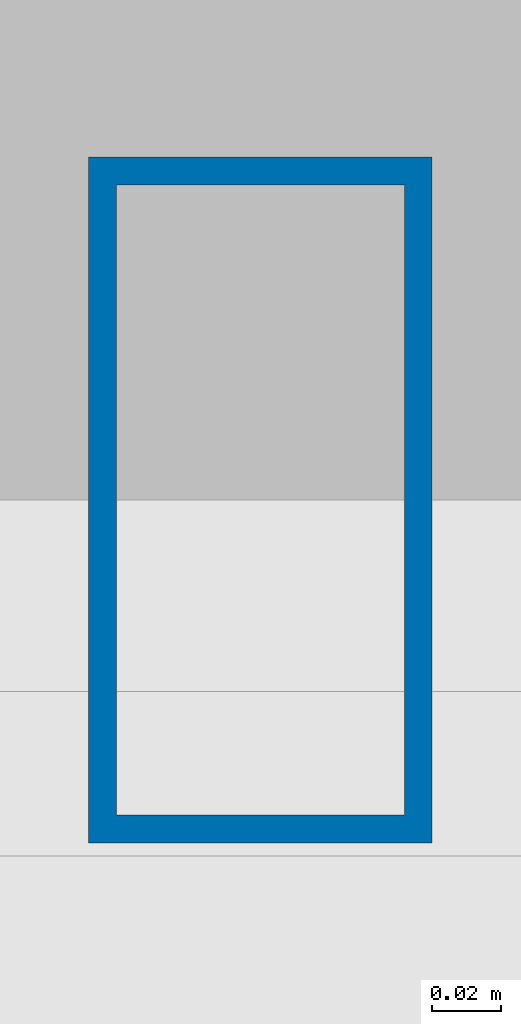
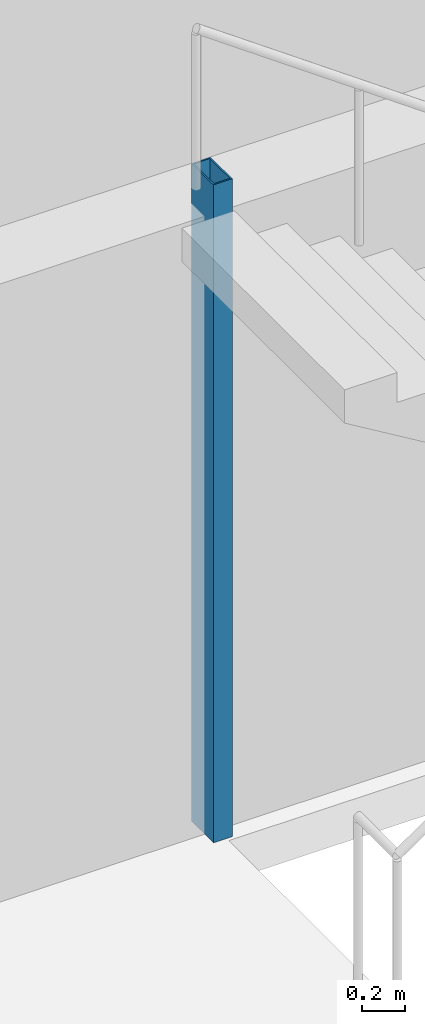
# One storey, part 2 of 18: 1 column.
"""IFC4 building model written with IfcOpenShell, lengths in metres."""

from ifc_helpers import new_model, si_unit, direction, frame, origin, origin_2d, place, context, subcontext, project, spatial, hollow_rectangle, extrude, material, material_profile, profile_set, type_object, element, save


model = new_model("IFC4")

# Units and contexts
model_context = context("Model", 3, precision=1e-05, world=origin(), true_north=direction((0.0, 1.0)))
body_context = subcontext(model_context, "Body", "Model", "MODEL_VIEW")
ifc_project = project(units=[si_unit("LENGTHUNIT", "METRE"), si_unit("AREAUNIT", "SQUARE_METRE"), si_unit("VOLUMEUNIT", "CUBIC_METRE"), si_unit("PLANEANGLEUNIT", "RADIAN"), si_unit("MASSUNIT", "GRAM", prefix="KILO")], contexts=[model_context])

# Site, building, storey
site_placement = place(None, origin())
site = spatial("IfcSite", under=ifc_project, at=site_placement, CompositionType="ELEMENT")
building_placement = place(site_placement, origin())
building = spatial("IfcBuilding", under=site, at=building_placement, Name="Menara Jurai Vektor", CompositionType="ELEMENT")
storey_placement = place(building_placement, frame((0.0, 0.0, 91.10009765625)))
storey = spatial("IfcBuildingStorey", under=building, at=storey_placement, Name="L22", CompositionType="ELEMENT", Elevation=91.10009765625)

# Column
ifc_material = material(Name="Steel S355", Category="steel")
ifc_material_profile = material_profile(ifc_material, hollow_rectangle(XDim=0.10009765625, YDim=0.199951171875, WallThickness=0.008056640625, at=origin_2d()), Name="RHS 200x100x8")
ifc_profile_set = profile_set([ifc_material_profile], Name="Steel S355")
column_type = type_object("IfcColumnType", Name="STR-COL-STAIR", PredefinedType="COLUMN", material=ifc_profile_set)
column_placement = place(storey_placement, frame((-11.1201171875, 5.419921875, 0.0), z_axis=(0.0, 0.0, 1.0), x_axis=(1.0, 0.0, 0.0)))
element("IfcColumn", 1, at=column_placement, inside=storey, type_object=column_type, Name="Stair Well Header Column ST1-P2 L22", PredefinedType="COLUMN", context=body_context, shape_type="SweptSolid", body=[
    extrude(hollow_rectangle(XDim=0.10009765625, YDim=0.199951171875, WallThickness=0.008056640625, at=origin_2d()), origin(), (0.0, 0.0, 1.0), 3.699951171875),
])

save(model, "model.ifc")
